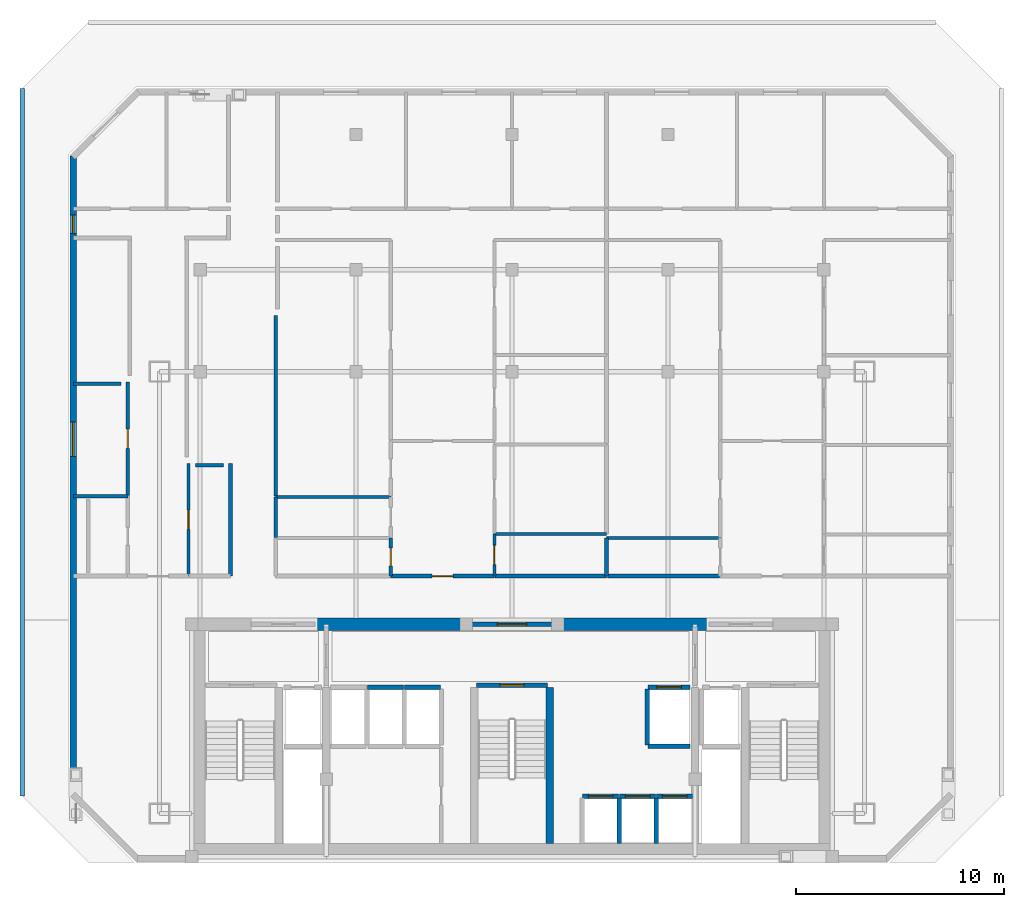
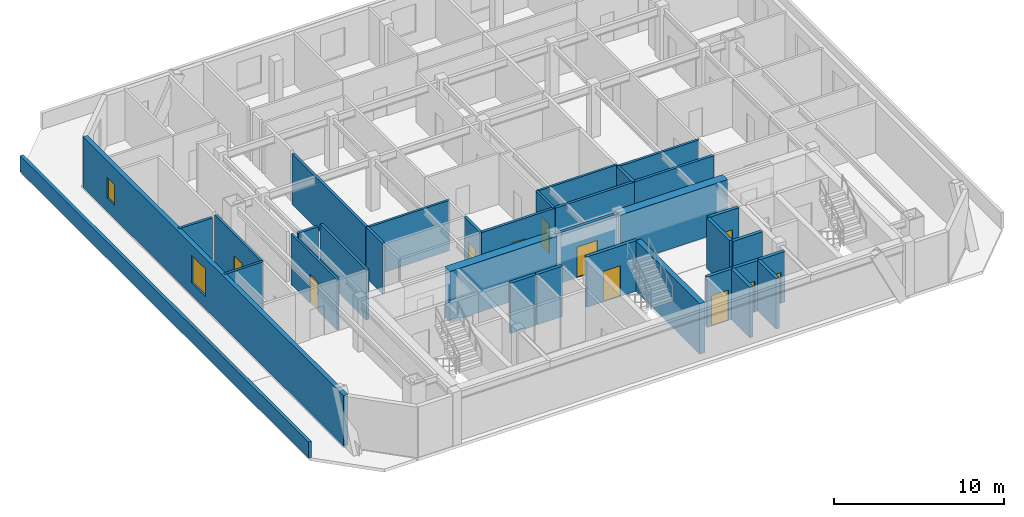
# One storey, part 3 of 7: 34 walls, 11 doors, 2 windows, 13 openings.
"""IFC4 building model written with IfcOpenShell, lengths in metres."""

from ifc_helpers import new_model, si_unit, direction, frame, frame_2d, origin, place, context, subcontext, project, spatial, rectangle, extrude, material, layer, layer_set, type_object, element, fill, save


model = new_model("IFC4")

# Units and contexts
model_context = context("Model", 3, precision=1e-05, world=origin(), true_north=direction((0.0, 1.0)))
body_context = subcontext(model_context, "Body", "Model", "MODEL_VIEW")
ifc_project = project(units=[si_unit("LENGTHUNIT", "METRE"), si_unit("AREAUNIT", "SQUARE_METRE"), si_unit("VOLUMEUNIT", "CUBIC_METRE"), si_unit("PLANEANGLEUNIT", "RADIAN"), si_unit("MASSUNIT", "GRAM", prefix="KILO")], contexts=[model_context])

# Site, building, storey
site_placement = place(None, origin())
site = spatial("IfcSite", under=ifc_project, at=site_placement, CompositionType="ELEMENT")
building_placement = place(site_placement, origin())
building = spatial("IfcBuilding", under=site, at=building_placement, Name="Ventersveld Concourse Tower", CompositionType="ELEMENT")
storey_placement = place(building_placement, frame((0.0, 0.0, 219.550048828125)))
storey = spatial("IfcBuildingStorey", under=building, at=storey_placement, Name="L54", CompositionType="ELEMENT", Elevation=219.550048828125)

# Walls
ifc_material_1 = material(Name="Concrete C50/60", Category="concrete")
ifc_layer_1 = layer(ifc_material_1, 0.35009765625)
ifc_layer_set_1 = layer_set([ifc_layer_1], Name="Concrete C50/60")
wall_type_1 = type_object("IfcWallType", Name="WL-CORE-350U", PredefinedType="SHEAR", material=ifc_layer_set_1)
wall_1_placement = place(storey_placement, frame((30.56005859375, 0.919921875, 0.0), z_axis=(0.0, 0.0, 1.0), x_axis=(0.0, 1.0, 0.0)))
element("IfcWall", 1, at=wall_1_placement, inside=storey, type_object=wall_type_1, Name="L54 Core Internal Shear Web W-ST3-E", PredefinedType="SHEAR", context=body_context, shape_type="SweptSolid", body=[
    extrude(rectangle(XDim=7.5, YDim=0.35009765625, at=frame_2d((3.75, 0.0))), origin(), (0.0, 0.0, 1.0), 3.6298828125),
])
ifc_layer_2 = layer(ifc_material_1, 0.60009765625)
ifc_layer_set_2 = layer_set([ifc_layer_2], Name="Concrete C50/60")
wall_type_2 = type_object("IfcWallType", Name="WL-CORE-600", PredefinedType="SHEAR", material=ifc_layer_set_2)
for number, where, z_axis, x_axis, name in (
    (2, (19.300048828125, 11.449951171875, 0.0), (0.0, 0.0, 1.0), (1.0, 0.0, 0.0), "L54 Rear Core North Shear Wall NML"),
    (3, (30.89990234375, 11.449951171875, 0.0), (0.0, 0.0, 1.0), (1.0, 0.0, 0.0), "L54 Rear Core North Shear Wall NMR"),
):
    element("IfcWall", number, at=place(storey_placement, frame(where, z_axis=z_axis, x_axis=x_axis)), inside=storey, type_object=wall_type_2, Name=name, PredefinedType="SHEAR", context=body_context, shape_type="SweptSolid", body=[
        extrude(rectangle(XDim=7.300048828125, YDim=0.60009765625, at=frame_2d((3.64990234375, 0.0))), origin(), (0.0, 0.0, 1.0), 3.6298828125),
    ])
ifc_material_2 = material(Name="Fire-rated autoclaved aerated masonry blockwork", Category="masonry")
ifc_layer_3 = layer(ifc_material_2, 0.179931640625)
ifc_layer_set_3 = layer_set([ifc_layer_3], Name="Fire-rated autoclaved aerated masonry blockwork")
wall_type_3 = type_object("IfcWallType", Name="WL-CORR-180", PredefinedType="PARTITIONING", material=ifc_layer_set_3)
wall_2_placement = place(storey_placement, frame((15.2099609375, 13.764892578125, 0.0), z_axis=(0.0, 0.0, 1.0), x_axis=(0.0, 1.0, 0.0)))
element("IfcWall", 4, at=wall_2_placement, inside=storey, type_object=wall_type_3, Name="L54 Interior Partition SP-L54-COR-SP-L54-54NW-KIT", PredefinedType="PARTITIONING", context=body_context, shape_type="SweptSolid", body=[
    extrude(rectangle(XDim=5.425048828125, YDim=0.179931640625, at=frame_2d((2.71240234375, 0.0))), origin(), (0.0, 0.0, 1.0), 3.6298828125),
])

# Wall, opening, door
wall_3_placement = place(storey_placement, frame((22.915283203125, 13.77001953125, 0.0), z_axis=(0.0, 0.0, 1.0), x_axis=(1.0, 0.0, 0.0)))
wall_3 = element("IfcWall", 5, at=wall_3_placement, inside=storey, type_object=wall_type_3, Name="L54 Interior Partition SP-L54-COR-SP-L54-54N1-FOY", PredefinedType="PARTITIONING", context=body_context, shape_type="SweptSolid", body=[
    extrude(rectangle(XDim=4.990234375, YDim=0.179931640625, at=frame_2d((2.4951171875, 0.0))), origin(), (0.0, 0.0, 1.0), 3.6298828125),
])
opening_1_placement = place(wall_3_placement, frame((1.9951171875, 0.0, 0.0)))
opening_1 = element("IfcOpeningElement", 6, at=opening_1_placement, cuts=wall_3, Name="Opening FD3", PredefinedType="OPENING", context=body_context, shape_type="SweptSolid", body=[
    extrude(rectangle(XDim=1.0, YDim=2.14990234375, at=frame_2d((0.5, 1.074951171875))), frame((0.0, 0.10009765625, 0.0), z_axis=(0.0, -1.0, 0.0), x_axis=(1.0, 0.0, 0.0)), (0.0, 0.0, 1.0), 0.199951171875),
])
ifc_material_3 = material(Name="Solid-core hardwood veneer timber", Category="wood")
door_type_1 = type_object("IfcDoorType", Name="DR-FLAT-100", OperationType="NOTDEFINED", PredefinedType="DOOR", material=ifc_material_3)
door_1_placement = place(opening_1_placement, origin())
door_1 = element("IfcDoor", 7, at=door_1_placement, inside=storey, type_object=door_type_1, Name="L54 Interior Door SP-L54-COR to SP-L54-54N1-FOY (FD-L54-2624)", OperationType="SINGLE_SWING_RIGHT", OverallHeight=2.14990234375, OverallWidth=1.0, PredefinedType="DOOR", context=body_context, shape_type="SweptSolid", body=[
    extrude(rectangle(XDim=1.0, YDim=2.14990234375, at=frame_2d((0.5, 1.074951171875))), frame((0.0, 0.02490234375, 0.0), z_axis=(0.0, -1.0, 0.0), x_axis=(1.0, 0.0, 0.0)), (0.0, 0.0, 1.0), 0.050048828125),
])
fill(opening_1, door_1)

# Walls
wall_4_placement = place(storey_placement, frame((17.389892578125, 15.635009765625, 0.0), z_axis=(0.0, 0.0, 1.0), x_axis=(0.0, 1.0, 0.0)))
element("IfcWall", 8, at=wall_4_placement, inside=storey, type_object=wall_type_3, Name="L54 Interior Partition SP-L54-COR-SP-L54-54N1-PANL0", PredefinedType="PARTITIONING", context=body_context, shape_type="SweptSolid", body=[
    extrude(rectangle(XDim=1.9443359375, YDim=0.179931640625, at=frame_2d((0.97216796875, 0.0))), origin(), (0.0, 0.0, 1.0), 3.6298828125),
])
wall_5_placement = place(storey_placement, frame((17.389892578125, 17.609375, 0.0), z_axis=(0.0, 0.0, 1.0), x_axis=(0.0, 1.0, 0.0)))
element("IfcWall", 9, at=wall_5_placement, inside=storey, type_object=wall_type_3, Name="L54 Interior Partition SP-L54-COR-SP-L54-54N1-DENL", PredefinedType="PARTITIONING", context=body_context, shape_type="SweptSolid", body=[
    extrude(rectangle(XDim=8.685546875, YDim=0.179931640625, at=frame_2d((4.3427734375, 0.0))), origin(), (0.0, 0.0, 1.0), 3.6298828125),
])
wall_6_placement = place(storey_placement, frame((27.935302734375, 13.77001953125, 0.0), z_axis=(0.0, 0.0, 1.0), x_axis=(1.0, 0.0, 0.0)))
element("IfcWall", 10, at=wall_6_placement, inside=storey, type_object=wall_type_3, Name="L54 Interior Partition SP-L54-COR-SP-L54-54N1-KIT", PredefinedType="PARTITIONING", context=body_context, shape_type="SweptSolid", body=[
    extrude(rectangle(XDim=5.36962890625, YDim=0.179931640625, at=frame_2d((2.684814453125, 0.0))), origin(), (0.0, 0.0, 1.0), 3.6298828125),
])
wall_7_placement = place(storey_placement, frame((33.3349609375, 13.77001953125, 0.0), z_axis=(0.0, 0.0, 1.0), x_axis=(1.0, 0.0, 0.0)))
element("IfcWall", 11, at=wall_7_placement, inside=storey, type_object=wall_type_3, Name="L54 Interior Partition SP-L54-COR-SP-L54-54N2-BATH", PredefinedType="PARTITIONING", context=body_context, shape_type="SweptSolid", body=[
    extrude(rectangle(XDim=5.39501953125, YDim=0.179931640625, at=frame_2d((2.697509765625, 0.0))), origin(), (0.0, 0.0, 1.0), 3.6298828125),
])
wall_8_placement = place(storey_placement, frame((7.672607421875, 23.010986328125, 0.0), z_axis=(0.0, 0.0, 1.0), x_axis=(1.0, 0.0, 0.0)))
element("IfcWall", 12, at=wall_8_placement, inside=storey, type_object=wall_type_3, Name="L54 Room Enclosure Wall SP-L54-54NW-PANL0", PredefinedType="PARTITIONING", context=body_context, shape_type="SweptSolid", body=[
    extrude(rectangle(XDim=2.278076171875, YDim=0.179931640625, at=frame_2d((1.13916015625, 0.0))), origin(), (0.0, 0.0, 1.0), 3.6298828125),
])
wall_9_placement = place(storey_placement, frame((13.521240234375, 19.094970703125, 0.0), z_axis=(0.0, 0.0, 1.0), x_axis=(1.0, 0.0, 0.0)))
element("IfcWall", 13, at=wall_9_placement, inside=storey, type_object=wall_type_3, Name="L54 Room Enclosure Wall SP-L54-54NW-KIT", PredefinedType="PARTITIONING", context=body_context, shape_type="SweptSolid", body=[
    extrude(rectangle(XDim=1.36376953125, YDim=0.179931640625, at=frame_2d((0.681884765625, 0.0))), origin(), (0.0, 0.0, 1.0), 3.6298828125),
])
ifc_layer_4 = layer(ifc_material_2, 0.199951171875)
ifc_layer_set_4 = layer_set([ifc_layer_4], Name="Fire-rated autoclaved aerated masonry blockwork")
wall_type_4 = type_object("IfcWallType", Name="WL-DEMISE-200", PredefinedType="PARTITIONING", material=ifc_layer_set_4)
wall_10_placement = place(storey_placement, frame((33.300048828125, 13.764892578125, 0.0), z_axis=(0.0, 0.0, 1.0), x_axis=(0.0, 1.0, 0.0)))
element("IfcWall", 14, at=wall_10_placement, inside=storey, type_object=wall_type_4, Name="L54 Interior Partition SP-L54-54N1-KIT-SP-L54-54N2-BATH", PredefinedType="PARTITIONING", context=body_context, shape_type="SweptSolid", body=[
    extrude(rectangle(XDim=1.840087890625, YDim=0.199951171875, at=frame_2d((0.919921875, 0.0))), origin(), (0.0, 0.0, 1.0), 3.6298828125),
])
ifc_layer_5 = layer(ifc_material_2, 0.219970703125)
ifc_layer_set_5 = layer_set([ifc_layer_5], Name="Fire-rated autoclaved aerated masonry blockwork")
wall_type_5 = type_object("IfcWallType", Name="WL-HOIST-220", PredefinedType="SOLIDWALL", material=ifc_layer_set_5)
wall_11_placement = place(storey_placement, frame((35.300048828125, 5.590087890625, 0.0), z_axis=(0.0, 0.0, 1.0), x_axis=(1.0, 0.0, 0.0)))
element("IfcWall", 15, at=wall_11_placement, inside=storey, type_object=wall_type_5, Name="L54 Lift Hoistway Back Wall SVL-01", PredefinedType="SOLIDWALL", context=body_context, shape_type="SweptSolid", body=[
    extrude(rectangle(XDim=2.0, YDim=0.219970703125, at=frame_2d((1.0, 0.0))), origin(), (0.0, 0.0, 1.0), 3.6298828125),
])
wall_12_placement = place(storey_placement, frame((35.260009765625, 5.64990234375, 0.0), z_axis=(0.0, 0.0, 1.0), x_axis=(0.0, 1.0, 0.0)))
element("IfcWall", 16, at=wall_12_placement, inside=storey, type_object=wall_type_5, Name="L54 Lift Hoistway Side Wall SVL-01W", PredefinedType="SOLIDWALL", context=body_context, shape_type="SweptSolid", body=[
    extrude(rectangle(XDim=2.7001953125, YDim=0.219970703125, at=frame_2d((1.35009765625, 0.0))), origin(), (0.0, 0.0, 1.0), 3.6298828125),
])

# Wall, opening, door
wall_13_placement = place(storey_placement, frame((35.280029296875, 8.429931640625, 0.0), z_axis=(0.0, 0.0, 1.0), x_axis=(1.0, 0.0, 0.0)))
wall_13 = element("IfcWall", 17, at=wall_13_placement, inside=storey, type_object=wall_type_5, Name="L54 Lift Hoistway Front Wall SVL-01", PredefinedType="SOLIDWALL", context=body_context, shape_type="SweptSolid", body=[
    extrude(rectangle(XDim=2.0400390625, YDim=0.219970703125, at=frame_2d((1.02001953125, 0.0))), origin(), (0.0, 0.0, 1.0), 3.6298828125),
])
opening_2_placement = place(wall_13_placement, frame((0.429931640625, 0.0, 0.0)))
opening_2 = element("IfcOpeningElement", 18, at=opening_2_placement, cuts=wall_13, Name="Opening LD2", PredefinedType="OPENING", context=body_context, shape_type="SweptSolid", body=[
    extrude(rectangle(XDim=1.179931640625, YDim=2.199951171875, at=frame_2d((0.58984375, 1.10009765625))), frame((0.0, 0.1201171875, 0.0), z_axis=(0.0, -1.0, 0.0), x_axis=(1.0, 0.0, 0.0)), (0.0, 0.0, 1.0), 0.239990234375),
])
ifc_material_4 = material(Name="Brushed stainless steel 316", Category="steel")
door_type_2 = type_object("IfcDoorType", Name="LD-PAX-118", OperationType="SLIDING_TO_LEFT", PredefinedType="DOOR", material=ifc_material_4)
door_2_placement = place(opening_2_placement, origin())
door_2 = element("IfcDoor", 19, at=door_2_placement, inside=storey, type_object=door_type_2, Name="L54 Lift landing door SVL-01 (LD-L54-SVL-01)", OperationType="SLIDING_TO_LEFT", OverallHeight=2.199951171875, OverallWidth=1.179931640625, PredefinedType="DOOR", context=body_context, shape_type="SweptSolid", body=[
    extrude(rectangle(XDim=1.179931640625, YDim=2.199951171875, at=frame_2d((0.58984375, 1.10009765625))), frame((0.0, 0.02490234375, 0.0), z_axis=(0.0, -1.0, 0.0), x_axis=(1.0, 0.0, 0.0)), (0.0, 0.0, 1.0), 0.050048828125),
])
fill(opening_2, door_2)

# Wall
wall_14_placement = place(storey_placement, frame((33.89990234375, 0.89990234375, 0.0), z_axis=(0.0, 0.0, 1.0), x_axis=(0.0, 1.0, 0.0)))
element("IfcWall", 20, at=wall_14_placement, inside=storey, type_object=wall_type_5, Name="L54 Lift Hoistway Side Wall PM-01E", PredefinedType="SOLIDWALL", context=body_context, shape_type="SweptSolid", body=[
    extrude(rectangle(XDim=2.2001953125, YDim=0.219970703125, at=frame_2d((1.10009765625, 0.0))), origin(), (0.0, 0.0, 1.0), 3.6298828125),
])

# Wall, opening, door
wall_15_placement = place(storey_placement, frame((32.139892578125, 3.179931640625, 0.0), z_axis=(0.0, 0.0, 1.0), x_axis=(1.0, 0.0, 0.0)))
wall_15 = element("IfcWall", 21, at=wall_15_placement, inside=storey, type_object=wall_type_5, Name="L54 Lift Hoistway Front Wall PM-01", PredefinedType="SOLIDWALL", context=body_context, shape_type="SweptSolid", body=[
    extrude(rectangle(XDim=1.739990234375, YDim=0.219970703125, at=frame_2d((0.8701171875, 0.0))), origin(), (0.0, 0.0, 1.0), 3.6298828125),
])
opening_3_placement = place(wall_15_placement, frame((0.280029296875, 0.0, 0.0)))
opening_3 = element("IfcOpeningElement", 22, at=opening_3_placement, cuts=wall_15, Name="Opening LD2", PredefinedType="OPENING", context=body_context, shape_type="SweptSolid", body=[
    extrude(rectangle(XDim=1.179931640625, YDim=2.199951171875, at=frame_2d((0.58984375, 1.10009765625))), frame((0.0, 0.1201171875, 0.0), z_axis=(0.0, -1.0, 0.0), x_axis=(1.0, 0.0, 0.0)), (0.0, 0.0, 1.0), 0.239990234375),
])
door_3_placement = place(opening_3_placement, origin())
door_3 = element("IfcDoor", 23, at=door_3_placement, inside=storey, type_object=door_type_2, Name="L54 Lift landing door PM-01 (LD-L54-PM-01)", OperationType="SLIDING_TO_RIGHT", OverallHeight=2.199951171875, OverallWidth=1.179931640625, PredefinedType="DOOR", context=body_context, shape_type="SweptSolid", body=[
    extrude(rectangle(XDim=1.179931640625, YDim=2.199951171875, at=frame_2d((0.58984375, 1.10009765625))), frame((0.0, 0.02490234375, 0.0), z_axis=(0.0, -1.0, 0.0), x_axis=(1.0, 0.0, 0.0)), (0.0, 0.0, 1.0), 0.050048828125),
])
fill(opening_3, door_3)

# Wall
wall_16_placement = place(storey_placement, frame((35.679931640625, 0.89990234375, 0.0), z_axis=(0.0, 0.0, 1.0), x_axis=(0.0, 1.0, 0.0)))
element("IfcWall", 24, at=wall_16_placement, inside=storey, type_object=wall_type_5, Name="L54 Lift Hoistway Side Wall PM-02E", PredefinedType="SOLIDWALL", context=body_context, shape_type="SweptSolid", body=[
    extrude(rectangle(XDim=2.2001953125, YDim=0.219970703125, at=frame_2d((1.10009765625, 0.0))), origin(), (0.0, 0.0, 1.0), 3.6298828125),
])

# Wall, opening, door
wall_17_placement = place(storey_placement, frame((33.919921875, 3.179931640625, 0.0), z_axis=(0.0, 0.0, 1.0), x_axis=(1.0, 0.0, 0.0)))
wall_17 = element("IfcWall", 25, at=wall_17_placement, inside=storey, type_object=wall_type_5, Name="L54 Lift Hoistway Front Wall PM-02", PredefinedType="SOLIDWALL", context=body_context, shape_type="SweptSolid", body=[
    extrude(rectangle(XDim=1.739990234375, YDim=0.219970703125, at=frame_2d((0.8701171875, 0.0))), origin(), (0.0, 0.0, 1.0), 3.6298828125),
])
opening_4_placement = place(wall_17_placement, frame((0.280029296875, 0.0, 0.0)))
opening_4 = element("IfcOpeningElement", 26, at=opening_4_placement, cuts=wall_17, Name="Opening LD2", PredefinedType="OPENING", context=body_context, shape_type="SweptSolid", body=[
    extrude(rectangle(XDim=1.179931640625, YDim=2.199951171875, at=frame_2d((0.58984375, 1.10009765625))), frame((0.0, 0.1201171875, 0.0), z_axis=(0.0, -1.0, 0.0), x_axis=(1.0, 0.0, 0.0)), (0.0, 0.0, 1.0), 0.239990234375),
])
door_4_placement = place(opening_4_placement, origin())
door_4 = element("IfcDoor", 27, at=door_4_placement, inside=storey, type_object=door_type_2, Name="L54 Lift landing door PM-02 (LD-L54-PM-02)", OperationType="SLIDING_TO_LEFT", OverallHeight=2.199951171875, OverallWidth=1.179931640625, PredefinedType="DOOR", context=body_context, shape_type="SweptSolid", body=[
    extrude(rectangle(XDim=1.179931640625, YDim=2.199951171875, at=frame_2d((0.58984375, 1.10009765625))), frame((0.0, 0.02490234375, 0.0), z_axis=(0.0, -1.0, 0.0), x_axis=(1.0, 0.0, 0.0)), (0.0, 0.0, 1.0), 0.050048828125),
])
fill(opening_4, door_4)

wall_18_placement = place(storey_placement, frame((35.699951171875, 3.179931640625, 0.0), z_axis=(0.0, 0.0, 1.0), x_axis=(1.0, 0.0, 0.0)))
wall_18 = element("IfcWall", 28, at=wall_18_placement, inside=storey, type_object=wall_type_5, Name="L54 Lift Hoistway Front Wall PM-03", PredefinedType="SOLIDWALL", context=body_context, shape_type="SweptSolid", body=[
    extrude(rectangle(XDim=1.739990234375, YDim=0.219970703125, at=frame_2d((0.8701171875, 0.0))), origin(), (0.0, 0.0, 1.0), 3.6298828125),
])
opening_5_placement = place(wall_18_placement, frame((0.280029296875, 0.0, 0.0)))
opening_5 = element("IfcOpeningElement", 29, at=opening_5_placement, cuts=wall_18, Name="Opening LD2", PredefinedType="OPENING", context=body_context, shape_type="SweptSolid", body=[
    extrude(rectangle(XDim=1.179931640625, YDim=2.199951171875, at=frame_2d((0.58984375, 1.10009765625))), frame((0.0, 0.1201171875, 0.0), z_axis=(0.0, -1.0, 0.0), x_axis=(1.0, 0.0, 0.0)), (0.0, 0.0, 1.0), 0.239990234375),
])
door_5_placement = place(opening_5_placement, origin())
door_5 = element("IfcDoor", 30, at=door_5_placement, inside=storey, type_object=door_type_2, Name="L54 Lift landing door PM-03 (LD-L54-PM-03)", OperationType="SLIDING_TO_RIGHT", OverallHeight=2.199951171875, OverallWidth=1.179931640625, PredefinedType="DOOR", context=body_context, shape_type="SweptSolid", body=[
    extrude(rectangle(XDim=1.179931640625, YDim=2.199951171875, at=frame_2d((0.58984375, 1.10009765625))), frame((0.0, 0.02490234375, 0.0), z_axis=(0.0, -1.0, 0.0), x_axis=(1.0, 0.0, 0.0)), (0.0, 0.0, 1.0), 0.050048828125),
])
fill(opening_5, door_5)

# Walls
for number, where, z_axis, x_axis, name in (
    (31, (21.800048828125, 8.429931640625, 0.0), (0.0, 0.0, 1.0), (1.0, 0.0, 0.0), "L54 Lift Hoistway Front Wall PH-02"),
    (32, (23.580078125, 8.429931640625, 0.0), (0.0, 0.0, 1.0), (1.0, 0.0, 0.0), "L54 Lift Hoistway Front Wall PH-03"),
):
    element("IfcWall", number, at=place(storey_placement, frame(where, z_axis=z_axis, x_axis=x_axis)), inside=storey, type_object=wall_type_5, Name=name, PredefinedType="SOLIDWALL", context=body_context, shape_type="SweptSolid", body=[
        extrude(rectangle(XDim=1.739990234375, YDim=0.219970703125, at=frame_2d((0.8701171875, 0.0))), origin(), (0.0, 0.0, 1.0), 3.6298828125),
    ])

# Wall, opening, door
wall_19_placement = place(storey_placement, frame((27.0400390625, 8.52001953125, 0.0), z_axis=(0.0, 0.0, 1.0), x_axis=(1.0, 0.0, 0.0)))
wall_19 = element("IfcWall", 33, at=wall_19_placement, inside=storey, type_object=wall_type_5, Name="L54 Escape Stair ST03 Fire Wall", PredefinedType="SOLIDWALL", context=body_context, shape_type="SweptSolid", body=[
    extrude(rectangle(XDim=3.419921875, YDim=0.219970703125, at=frame_2d((1.7099609375, 0.0))), origin(), (0.0, 0.0, 1.0), 3.6298828125),
])
opening_6_placement = place(wall_19_placement, frame((1.135009765625, 0.0, 0.0)))
opening_6 = element("IfcOpeningElement", 34, at=opening_6_placement, cuts=wall_19, Name="Opening FD1", PredefinedType="OPENING", context=body_context, shape_type="SweptSolid", body=[
    extrude(rectangle(XDim=1.14990234375, YDim=2.199951171875, at=frame_2d((0.574951171875, 1.10009765625))), frame((0.0, 0.1201171875, 0.0), z_axis=(0.0, -1.0, 0.0), x_axis=(1.0, 0.0, 0.0)), (0.0, 0.0, 1.0), 0.239990234375),
])
ifc_material_5 = material(Name="Galvanised painted steel", Category="steel")
door_type_3 = type_object("IfcDoorType", Name="DR-STAIR-115", OperationType="NOTDEFINED", PredefinedType="DOOR", material=ifc_material_5)
door_6_placement = place(opening_6_placement, origin())
door_6 = element("IfcDoor", 35, at=door_6_placement, inside=storey, type_object=door_type_3, Name="L54 Escape Stair Door ST03 (SD-L54-2616)", OperationType="SINGLE_SWING_LEFT", OverallHeight=2.199951171875, OverallWidth=1.14990234375, PredefinedType="DOOR", context=body_context, shape_type="SweptSolid", body=[
    extrude(rectangle(XDim=1.14990234375, YDim=2.199951171875, at=frame_2d((0.574951171875, 1.10009765625))), frame((0.0, 0.02490234375, 0.0), z_axis=(0.0, -1.0, 0.0), x_axis=(1.0, 0.0, 0.0)), (0.0, 0.0, 1.0), 0.050048828125),
])
fill(opening_6, door_6)

wall_20_placement = place(storey_placement, frame((26.6298828125, 11.449951171875, 0.0), z_axis=(0.0, 0.0, 1.0), x_axis=(1.0, 0.0, 0.0)))
wall_20 = element("IfcWall", 36, at=wall_20_placement, inside=storey, type_object=wall_type_5, Name="L54 Core North Fire Portal PLOB-OUT", PredefinedType="SOLIDWALL", context=body_context, shape_type="SweptSolid", body=[
    extrude(rectangle(XDim=4.240234375, YDim=0.219970703125, at=frame_2d((2.1201171875, 0.0))), origin(), (0.0, 0.0, 1.0), 3.6298828125),
])
opening_7_placement = place(wall_20_placement, frame((1.419921875, 0.0, 0.0)))
opening_7 = element("IfcOpeningElement", 37, at=opening_7_placement, cuts=wall_20, Name="Opening FD4", PredefinedType="OPENING", context=body_context, shape_type="SweptSolid", body=[
    extrude(rectangle(XDim=1.39990234375, YDim=2.199951171875, at=frame_2d((0.699951171875, 1.10009765625))), frame((0.0, 0.1201171875, 0.0), z_axis=(0.0, -1.0, 0.0), x_axis=(1.0, 0.0, 0.0)), (0.0, 0.0, 1.0), 0.239990234375),
])
door_type_4 = type_object("IfcDoorType", Name="DR-PLANT-140", OperationType="DOUBLE_DOOR_SINGLE_SWING", PredefinedType="DOOR", material=ifc_material_5)
door_7_placement = place(opening_7_placement, origin())
door_7 = element("IfcDoor", 38, at=door_7_placement, inside=storey, type_object=door_type_4, Name="L54 Core Lobby Fire Door PLOB-OUT (FD-L54-2620)", OperationType="DOUBLE_DOOR_SINGLE_SWING", OverallHeight=2.199951171875, OverallWidth=1.39990234375, PredefinedType="DOOR", context=body_context, shape_type="SweptSolid", body=[
    extrude(rectangle(XDim=1.39990234375, YDim=2.199951171875, at=frame_2d((0.699951171875, 1.10009765625))), frame((0.0, 0.02490234375, 0.0), z_axis=(0.0, -1.0, 0.0), x_axis=(1.0, 0.0, 0.0)), (0.0, 0.0, 1.0), 0.050048828125),
])
fill(opening_7, door_7)

ifc_material_6 = material(Name="Autoclaved aerated masonry blockwork", Category="masonry")
ifc_layer_6 = layer(ifc_material_6, 0.14990234375)
ifc_layer_set_6 = layer_set([ifc_layer_6], Name="Autoclaved aerated masonry blockwork")
wall_type_6 = type_object("IfcWallType", Name="WL-INT-150", PredefinedType="PARTITIONING", material=ifc_layer_set_6)
wall_21_placement = place(storey_placement, frame((10.27587890625, 17.639892578125, 0.0), z_axis=(0.0, 0.0, 1.0), x_axis=(0.0, 1.0, 0.0)))
wall_21 = element("IfcWall", 39, at=wall_21_placement, inside=storey, type_object=wall_type_6, Name="L54 Interior Partition SP-L54-54NW-LIV-SP-L54-54NW-PANL0", PredefinedType="PARTITIONING", context=body_context, shape_type="SweptSolid", body=[
    extrude(rectangle(XDim=5.46630859375, YDim=0.14990234375, at=frame_2d((2.733154296875, 0.0))), origin(), (0.0, 0.0, 1.0), 3.6298828125),
])
opening_8_placement = place(wall_21_placement, frame((2.273193359375, 0.0, 0.0)))
opening_8 = element("IfcOpeningElement", 40, at=opening_8_placement, cuts=wall_21, Name="Opening ID1", PredefinedType="OPENING", context=body_context, shape_type="SweptSolid", body=[
    extrude(rectangle(XDim=0.919921875, YDim=2.10009765625, at=frame_2d((0.4599609375, 1.050048828125))), frame((0.0, 0.0849609375, 0.0), z_axis=(0.0, -1.0, 0.0), x_axis=(1.0, 0.0, 0.0)), (0.0, 0.0, 1.0), 0.169921875),
])
door_type_5 = type_object("IfcDoorType", Name="DR-ROOM-092", OperationType="NOTDEFINED", PredefinedType="DOOR", material=ifc_material_3)
door_8_placement = place(opening_8_placement, origin())
door_8 = element("IfcDoor", 41, at=door_8_placement, inside=storey, type_object=door_type_5, Name="L54 Interior Door SP-L54-54NW-LIV to SP-L54-54NW-PANL0 (D-L54-2627)", OperationType="SINGLE_SWING_LEFT", OverallHeight=2.10009765625, OverallWidth=0.919921875, PredefinedType="DOOR", context=body_context, shape_type="SweptSolid", body=[
    extrude(rectangle(XDim=0.919921875, YDim=2.10009765625, at=frame_2d((0.4599609375, 1.050048828125))), frame((0.0, 0.02490234375, 0.0), z_axis=(0.0, -1.0, 0.0), x_axis=(1.0, 0.0, 0.0)), (0.0, 0.0, 1.0), 0.050048828125),
])
fill(opening_8, door_8)

wall_22_placement = place(storey_placement, frame((13.1962890625, 13.764892578125, 0.0), z_axis=(0.0, 0.0, 1.0), x_axis=(0.0, 1.0, 0.0)))
wall_22 = element("IfcWall", 42, at=wall_22_placement, inside=storey, type_object=wall_type_6, Name="L54 Interior Partition SP-L54-54NW-LIV-SP-L54-54NW-KIT", PredefinedType="PARTITIONING", context=body_context, shape_type="SweptSolid", body=[
    extrude(rectangle(XDim=5.425048828125, YDim=0.14990234375, at=frame_2d((2.71240234375, 0.0))), origin(), (0.0, 0.0, 1.0), 3.6298828125),
])
opening_9_placement = place(wall_22_placement, frame((2.25244140625, 0.0, 0.0)))
opening_9 = element("IfcOpeningElement", 43, at=opening_9_placement, cuts=wall_22, Name="Opening ID1", PredefinedType="OPENING", context=body_context, shape_type="SweptSolid", body=[
    extrude(rectangle(XDim=0.919921875, YDim=2.10009765625, at=frame_2d((0.4599609375, 1.050048828125))), frame((0.0, 0.0849609375, 0.0), z_axis=(0.0, -1.0, 0.0), x_axis=(1.0, 0.0, 0.0)), (0.0, 0.0, 1.0), 0.169921875),
])
door_9_placement = place(opening_9_placement, origin())
door_9 = element("IfcDoor", 44, at=door_9_placement, inside=storey, type_object=door_type_5, Name="L54 Interior Door SP-L54-54NW-LIV to SP-L54-54NW-KIT (D-L54-2628)", OperationType="SINGLE_SWING_RIGHT", OverallHeight=2.10009765625, OverallWidth=0.919921875, PredefinedType="DOOR", context=body_context, shape_type="SweptSolid", body=[
    extrude(rectangle(XDim=0.919921875, YDim=2.10009765625, at=frame_2d((0.4599609375, 1.050048828125))), frame((0.0, 0.02490234375, 0.0), z_axis=(0.0, -1.0, 0.0), x_axis=(1.0, 0.0, 0.0)), (0.0, 0.0, 1.0), 0.050048828125),
])
fill(opening_9, door_9)

wall_23_placement = place(storey_placement, frame((27.900390625, 13.764892578125, 0.0), z_axis=(0.0, 0.0, 1.0), x_axis=(0.0, 1.0, 0.0)))
wall_23 = element("IfcWall", 45, at=wall_23_placement, inside=storey, type_object=wall_type_6, Name="L54 Interior Partition SP-L54-54N1-FOY-SP-L54-54N1-KIT", PredefinedType="PARTITIONING", context=body_context, shape_type="SweptSolid", body=[
    extrude(rectangle(XDim=2.029296875, YDim=0.14990234375, at=frame_2d((1.0146484375, 0.0))), origin(), (0.0, 0.0, 1.0), 3.6298828125),
])
opening_10_placement = place(wall_23_placement, frame((0.5546875, 0.0, 0.0)))
opening_10 = element("IfcOpeningElement", 46, at=opening_10_placement, cuts=wall_23, Name="Opening ID1", PredefinedType="OPENING", context=body_context, shape_type="SweptSolid", body=[
    extrude(rectangle(XDim=0.919921875, YDim=2.10009765625, at=frame_2d((0.4599609375, 1.050048828125))), frame((0.0, 0.0849609375, 0.0), z_axis=(0.0, -1.0, 0.0), x_axis=(1.0, 0.0, 0.0)), (0.0, 0.0, 1.0), 0.169921875),
])
door_10_placement = place(opening_10_placement, origin())
door_10 = element("IfcDoor", 47, at=door_10_placement, inside=storey, type_object=door_type_5, Name="L54 Interior Door SP-L54-54N1-FOY to SP-L54-54N1-KIT (D-L54-2635)", OperationType="SINGLE_SWING_LEFT", OverallHeight=2.10009765625, OverallWidth=0.919921875, PredefinedType="DOOR", context=body_context, shape_type="SweptSolid", body=[
    extrude(rectangle(XDim=0.919921875, YDim=2.10009765625, at=frame_2d((0.4599609375, 1.050048828125))), frame((0.0, 0.02490234375, 0.0), z_axis=(0.0, -1.0, 0.0), x_axis=(1.0, 0.0, 0.0)), (0.0, 0.0, 1.0), 0.050048828125),
])
fill(opening_10, door_10)

# Walls
wall_24_placement = place(storey_placement, frame((17.385009765625, 17.57421875, 0.0), z_axis=(0.0, 0.0, 1.0), x_axis=(1.0, 0.0, 0.0)))
element("IfcWall", 48, at=wall_24_placement, inside=storey, type_object=wall_type_6, Name="L54 Interior Partition SP-L54-54N1-PANL0-SP-L54-54N1-DENL", PredefinedType="PARTITIONING", context=body_context, shape_type="SweptSolid", body=[
    extrude(rectangle(XDim=5.540283203125, YDim=0.14990234375, at=frame_2d((2.77001953125, 0.0))), origin(), (0.0, 0.0, 1.0), 3.6298828125),
])
wall_25_placement = place(storey_placement, frame((27.8955078125, 15.789306640625, 0.0), z_axis=(0.0, 0.0, 1.0), x_axis=(1.0, 0.0, 0.0)))
element("IfcWall", 49, at=wall_25_placement, inside=storey, type_object=wall_type_6, Name="L54 Interior Partition SP-L54-54N1-KIT-SP-L54-54N1-DENR", PredefinedType="PARTITIONING", context=body_context, shape_type="SweptSolid", body=[
    extrude(rectangle(XDim=5.409423828125, YDim=0.14990234375, at=frame_2d((2.70458984375, 0.0))), origin(), (0.0, 0.0, 1.0), 3.6298828125),
])
ifc_material_7 = material(Name="Precast concrete C45/55", Category="concrete")
ifc_layer_7 = layer(ifc_material_7, 0.2099609375)
ifc_layer_set_7 = layer_set([ifc_layer_7], Name="Precast concrete C45/55")
wall_type_7 = type_object("IfcWallType", Name="WL-PARA-210", PredefinedType="PARAPET", material=ifc_layer_set_7)
wall_26_placement = place(storey_placement, frame((5.199951171875, 37.199951171875, 0.0), z_axis=(0.0, 0.0, 1.0), x_axis=(0.0, -1.0, 0.0)))
element("IfcWall", 50, at=wall_26_placement, inside=storey, type_object=wall_type_7, Name="L54 Setback Roof Parapet Wall 4", PredefinedType="PARAPET", context=body_context, shape_type="SweptSolid", body=[
    extrude(rectangle(XDim=34.0, YDim=0.2099609375, at=frame_2d((17.0, 0.0))), origin(), (0.0, 0.0, 1.0), 1.14990234375),
])

# Wall, openings, windows
ifc_layer_8 = layer(ifc_material_7, 0.300048828125)
ifc_layer_set_8 = layer_set([ifc_layer_8], Name="Precast concrete C45/55")
wall_type_8 = type_object("IfcWallType", Name="WL-PREC-300", PredefinedType="SOLIDWALL", material=ifc_layer_set_8)
wall_27_placement = place(storey_placement, frame((7.64990234375, 33.9599609375, 0.0), z_axis=(0.0, 0.0, 1.0), x_axis=(0.0, -1.0, 0.0)))
wall_27 = element("IfcWall", 51, at=wall_27_placement, inside=storey, type_object=wall_type_8, Name="L54 Highveld Precast Facade Wall E07", PredefinedType="SOLIDWALL", context=body_context, shape_type="SweptSolid", body=[
    extrude(rectangle(XDim=30.719970703125, YDim=0.300048828125, at=frame_2d((15.35986328125, 0.0))), origin(), (0.0, 0.0, 1.0), 3.6298828125),
])
opening_11_placement = place(wall_27_placement, frame((2.830078125, 0.0, 0.949951171875)))
opening_11 = element("IfcOpeningElement", 52, at=opening_11_placement, cuts=wall_27, Name="Opening W4", PredefinedType="OPENING", context=body_context, shape_type="SweptSolid", body=[
    extrude(rectangle(XDim=0.89990234375, YDim=1.5, at=frame_2d((0.449951171875, 0.75))), frame((0.0, 0.16015625, 0.0), z_axis=(0.0, -1.0, 0.0), x_axis=(1.0, 0.0, 0.0)), (0.0, 0.0, 1.0), 0.320068359375),
])
opening_12_placement = place(wall_27_placement, frame((12.781982421875, 0.0, 0.8798828125)))
opening_12 = element("IfcOpeningElement", 53, at=opening_12_placement, cuts=wall_27, Name="Opening W6", PredefinedType="OPENING", context=body_context, shape_type="SweptSolid", body=[
    extrude(rectangle(XDim=1.64990234375, YDim=2.0, at=frame_2d((0.824951171875, 1.0))), frame((0.0, 0.16015625, 0.0), z_axis=(0.0, -1.0, 0.0), x_axis=(1.0, 0.0, 0.0)), (0.0, 0.0, 1.0), 0.320068359375),
])
ifc_material_8 = material(Name="Tempered acoustic Low-E IGU", Category="glass")
window_type_1 = type_object("IfcWindowType", Name="WIN-090x150", PartitioningType="SINGLE_PANEL", PredefinedType="WINDOW", material=ifc_material_8)
window_1_placement = place(opening_11_placement, origin())
window_1 = element("IfcWindow", 54, at=window_1_placement, inside=storey, type_object=window_type_1, Name="L54 Punched Low-E Window W-0766", OverallHeight=1.5, OverallWidth=0.89990234375, PartitioningType="SINGLE_PANEL", PredefinedType="WINDOW", context=body_context, shape_type="SweptSolid", body=[
    extrude(rectangle(XDim=0.89990234375, YDim=1.5, at=frame_2d((0.449951171875, 0.75))), frame((0.0, 0.030029296875, 0.0), z_axis=(0.0, -1.0, 0.0), x_axis=(1.0, 0.0, 0.0)), (0.0, 0.0, 1.0), 0.06005859375),
])
fill(opening_11, window_1)
window_type_2 = type_object("IfcWindowType", Name="WIN-165x200", PartitioningType="SINGLE_PANEL", PredefinedType="WINDOW", material=ifc_material_8)
window_2_placement = place(opening_12_placement, origin())
window_2 = element("IfcWindow", 55, at=window_2_placement, inside=storey, type_object=window_type_2, Name="L54 Punched Low-E Window W-0767", OverallHeight=2.0, OverallWidth=1.64990234375, PartitioningType="SINGLE_PANEL", PredefinedType="WINDOW", context=body_context, shape_type="SweptSolid", body=[
    extrude(rectangle(XDim=1.64990234375, YDim=2.0, at=frame_2d((0.824951171875, 1.0))), frame((0.0, 0.030029296875, 0.0), z_axis=(0.0, -1.0, 0.0), x_axis=(1.0, 0.0, 0.0)), (0.0, 0.0, 1.0), 0.06005859375),
])
fill(opening_12, window_2)

# Wall
ifc_layer_9 = layer(ifc_material_6, 0.1650390625)
ifc_layer_set_9 = layer_set([ifc_layer_9], Name="Autoclaved aerated masonry blockwork")
wall_type_9 = type_object("IfcWallType", Name="WL-WET-165", PredefinedType="PLUMBINGWALL", material=ifc_layer_set_9)
wall_28_placement = place(storey_placement, frame((7.672607421875, 17.60498046875, 0.0), z_axis=(0.0, 0.0, 1.0), x_axis=(1.0, 0.0, 0.0)))
element("IfcWall", 56, at=wall_28_placement, inside=storey, type_object=wall_type_9, Name="L54 Interior Partition SP-L54-54NW-BATH-SP-L54-54NW-PANL0", PredefinedType="PLUMBINGWALL", context=body_context, shape_type="SweptSolid", body=[
    extrude(rectangle(XDim=2.608154296875, YDim=0.1650390625, at=frame_2d((1.30419921875, 0.0))), origin(), (0.0, 0.0, 1.0), 3.6298828125),
])

# Wall, opening, door
wall_29_placement = place(storey_placement, frame((22.92041015625, 13.764892578125, 0.0), z_axis=(0.0, 0.0, 1.0), x_axis=(0.0, 1.0, 0.0)))
wall_29 = element("IfcWall", 57, at=wall_29_placement, inside=storey, type_object=wall_type_9, Name="L54 Interior Partition SP-L54-54N1-FOY-SP-L54-54N1-BATH", PredefinedType="PLUMBINGWALL", context=body_context, shape_type="SweptSolid", body=[
    extrude(rectangle(XDim=1.840087890625, YDim=0.1650390625, at=frame_2d((0.919921875, 0.0))), origin(), (0.0, 0.0, 1.0), 3.6298828125),
])
opening_13_placement = place(wall_29_placement, frame((0.4951171875, 0.0, 0.0)))
opening_13 = element("IfcOpeningElement", 58, at=opening_13_placement, cuts=wall_29, Name="Opening ID2", PredefinedType="OPENING", context=body_context, shape_type="SweptSolid", body=[
    extrude(rectangle(XDim=0.85009765625, YDim=2.10009765625, at=frame_2d((0.425048828125, 1.050048828125))), frame((0.0, 0.092529296875, 0.0), z_axis=(0.0, -1.0, 0.0), x_axis=(1.0, 0.0, 0.0)), (0.0, 0.0, 1.0), 0.18505859375),
])
door_type_6 = type_object("IfcDoorType", Name="DR-BATH-085", OperationType="NOTDEFINED", PredefinedType="DOOR", material=ifc_material_3)
door_11_placement = place(opening_13_placement, origin())
door_11 = element("IfcDoor", 59, at=door_11_placement, inside=storey, type_object=door_type_6, Name="L54 Interior Door SP-L54-54N1-FOY to SP-L54-54N1-BATH (D-L54-2632)", OperationType="SINGLE_SWING_RIGHT", OverallHeight=2.10009765625, OverallWidth=0.85009765625, PredefinedType="DOOR", context=body_context, shape_type="SweptSolid", body=[
    extrude(rectangle(XDim=0.85009765625, YDim=2.10009765625, at=frame_2d((0.425048828125, 1.050048828125))), frame((0.0, 0.02490234375, 0.0), z_axis=(0.0, -1.0, 0.0), x_axis=(1.0, 0.0, 0.0)), (0.0, 0.0, 1.0), 0.050048828125),
])
fill(opening_13, door_11)

# Wall
wall_30_placement = place(storey_placement, frame((33.294921875, 15.60009765625, 0.0), z_axis=(0.0, 0.0, 1.0), x_axis=(1.0, 0.0, 0.0)))
element("IfcWall", 60, at=wall_30_placement, inside=storey, type_object=wall_type_9, Name="L54 Interior Partition SP-L54-54N2-BATH-SP-L54-54N2-DENL", PredefinedType="PLUMBINGWALL", context=body_context, shape_type="SweptSolid", body=[
    extrude(rectangle(XDim=5.47509765625, YDim=0.1650390625, at=frame_2d((2.737548828125, 0.0))), origin(), (0.0, 0.0, 1.0), 3.6298828125),
])

save(model, "model.ifc")
